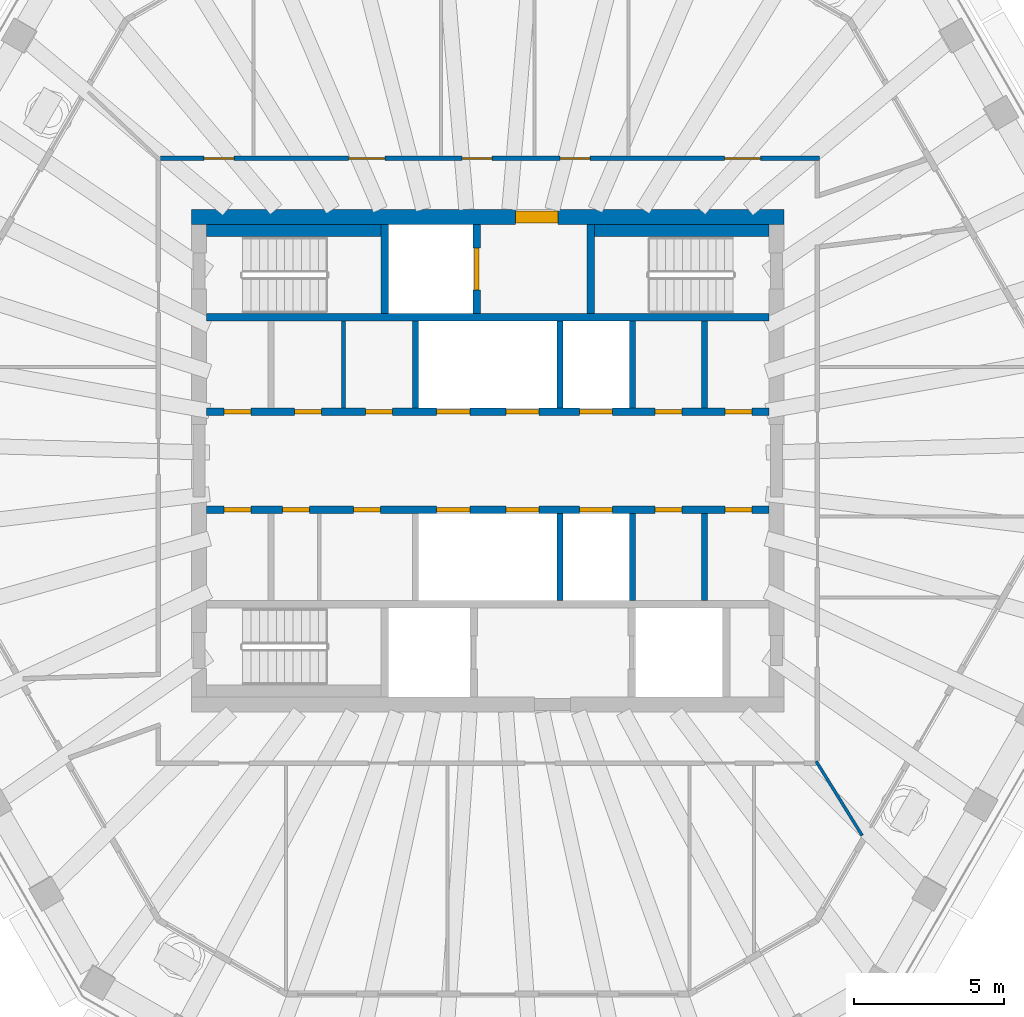
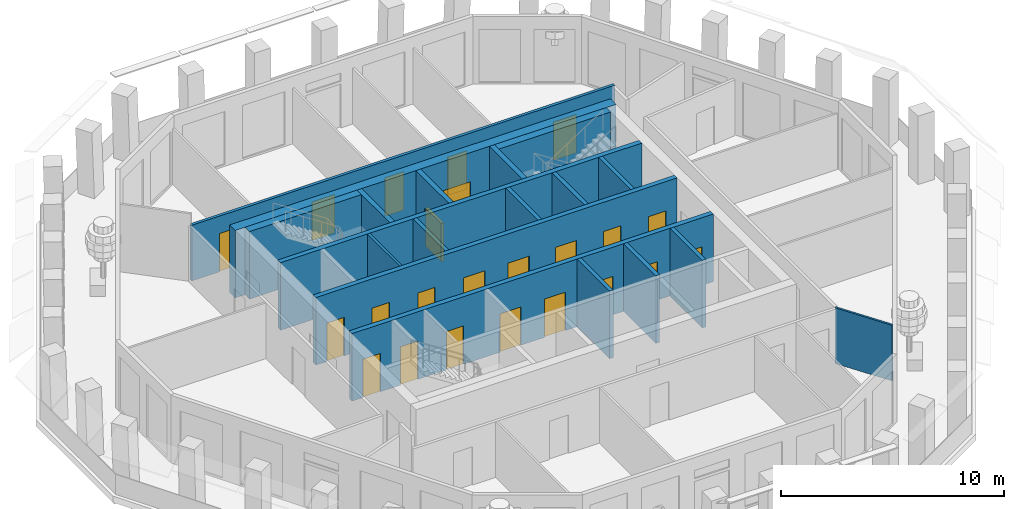
# One storey, part 5 of 11: 23 doors, 19 walls, 23 openings.
"""IFC4 building model written with IfcOpenShell, lengths in metres."""

from ifc_helpers import new_model, si_unit, direction, frame, frame_2d, origin, place, context, subcontext, project, spatial, rectangle, extrude, material, layer, layer_set, type_object, element, fill, save


model = new_model("IFC4")

# Units and contexts
model_context = context("Model", 3, precision=1e-05, world=origin(), true_north=direction((0.0, 1.0)))
body_context = subcontext(model_context, "Body", "Model", "MODEL_VIEW")
ifc_project = project(units=[si_unit("LENGTHUNIT", "METRE"), si_unit("AREAUNIT", "SQUARE_METRE"), si_unit("VOLUMEUNIT", "CUBIC_METRE"), si_unit("PLANEANGLEUNIT", "RADIAN"), si_unit("MASSUNIT", "GRAM", prefix="KILO")], contexts=[model_context])

# Site, building, storey
site_placement = place(None, origin())
site = spatial("IfcSite", under=ifc_project, at=site_placement, CompositionType="ELEMENT")
building_placement = place(site_placement, origin())
building = spatial("IfcBuilding", under=site, at=building_placement, Name="Frailejon Research Tower", CompositionType="ELEMENT")
storey_placement = place(building_placement, frame((0.0, 0.0, 328.60009765625)))
storey = spatial("IfcBuildingStorey", under=building, at=storey_placement, Name="L73", CompositionType="ELEMENT", Elevation=328.60009765625)

# Wall
ifc_material_1 = material(Name="Plasterboard on steel studs", Category="steel")
ifc_layer_1 = layer(ifc_material_1, 0.125)
ifc_layer_set_1 = layer_set([ifc_layer_1], Name="Core partition 125")
wall_type_1 = type_object("IfcWallType", Name="Core partition 125", PredefinedType="PARTITIONING", material=ifc_layer_set_1)
wall_1_placement = place(storey_placement, frame((-4.800048828125, 1.75, 0.0), z_axis=(0.0, 0.0, 1.0), x_axis=(0.0, 1.0, 0.0)))
element("IfcWall", 1, at=wall_1_placement, inside=storey, type_object=wall_type_1, Name="Core partition", PredefinedType="PARTITIONING", context=body_context, shape_type="SweptSolid", body=[
    extrude(rectangle(XDim=2.89990234375, YDim=0.125, at=frame_2d((1.449951171875, 0.0))), origin(), (0.0, 0.0, 1.0), 3.699951171875),
])

# Wall, opening, door
ifc_material_2 = material(Name="Concrete C50/60", Category="concrete")
ifc_layer_2 = layer(ifc_material_2, 0.5)
ifc_layer_set_2 = layer_set([ifc_layer_2], Name="Core shear wall 500 C50/60")
wall_type_2 = type_object("IfcWallType", Name="Core shear wall 500 C50/60", PredefinedType="SHEAR", material=ifc_layer_set_2)
wall_2_placement = place(storey_placement, frame((-9.85009765625, 8.10009765625, 0.0), z_axis=(0.0, 0.0, 1.0), x_axis=(1.0, 0.0, 0.0)))
wall_2 = element("IfcWall", 2, at=wall_2_placement, inside=storey, type_object=wall_type_2, Name="Core shear wall", PredefinedType="SHEAR", context=body_context, shape_type="SweptSolid", body=[
    extrude(rectangle(XDim=19.7001953125, YDim=0.5, at=frame_2d((9.85009765625, 0.0))), origin(), (0.0, 0.0, 1.0), 3.699951171875),
])
opening_1_placement = place(wall_2_placement, frame((10.77490234375, 0.0, 0.0)))
opening_1 = element("IfcOpeningElement", 3, at=opening_1_placement, cuts=wall_2, Name="Opening D9", PredefinedType="OPENING", context=body_context, shape_type="SweptSolid", body=[
    extrude(rectangle(XDim=1.39990234375, YDim=2.10009765625, at=frame_2d((0.699951171875, 1.050048828125))), frame((0.0, 0.260009765625, 0.0), z_axis=(0.0, -1.0, 0.0), x_axis=(1.0, 0.0, 0.0)), (0.0, 0.0, 1.0), 0.52001953125),
])
ifc_material_3 = material(Name="Steel", Category="steel")
door_type_1 = type_object("IfcDoorType", Name="Goods lobby door", OperationType="DOUBLE_DOOR_SINGLE_SWING", PredefinedType="DOOR", material=ifc_material_3)
door_1_placement = place(opening_1_placement, origin())
door_1 = element("IfcDoor", 4, at=door_1_placement, inside=storey, type_object=door_type_1, Name="Goods lobby door", OperationType="DOUBLE_DOOR_SINGLE_SWING", OverallHeight=2.10009765625, OverallWidth=1.39990234375, PredefinedType="DOOR", context=body_context, shape_type="SweptSolid", body=[
    extrude(rectangle(XDim=1.39990234375, YDim=2.10009765625, at=frame_2d((0.699951171875, 1.050048828125))), frame((0.0, 0.199951171875, 0.0), z_axis=(0.0, -1.0, 0.0), x_axis=(1.0, 0.0, 0.0)), (0.0, 0.0, 1.0), 0.39990234375),
])
fill(opening_1, door_1)

# Wall, openings, doors
ifc_material_4 = material(Name="Gypsum board and masonry partition", Category="masonry")
ifc_layer_3 = layer(ifc_material_4, 0.14990234375)
ifc_layer_set_3 = layer_set([ifc_layer_3], Name="Corridor wall EI 60, gypsum on steel studs 150")
wall_type_3 = type_object("IfcWallType", Name="Corridor wall EI 60, gypsum on steel studs 150", PredefinedType="PARTITIONING", material=ifc_layer_set_3)
wall_3_placement = place(storey_placement, frame((-10.875, 10.050048828125, 0.0), z_axis=(0.0, 0.0, 1.0), x_axis=(1.0, 0.0, 0.0)))
wall_3 = element("IfcWall", 5, at=wall_3_placement, inside=storey, type_object=wall_type_3, Name="T:IW:L73:005", PredefinedType="PARTITIONING", context=body_context, shape_type="SweptSolid", body=[
    extrude(rectangle(XDim=21.89990234375, YDim=0.14990234375, at=frame_2d((10.949951171875, 0.0))), origin(), (0.0, 0.0, 1.0), 3.0498046875),
])
opening_2_placement = place(wall_3_placement, frame((18.743408203125, 0.0, 0.0)))
opening_2 = element("IfcOpeningElement", 6, at=opening_2_placement, cuts=wall_3, Name="Opening D2366", PredefinedType="OPENING", context=body_context, shape_type="SweptSolid", body=[
    extrude(rectangle(XDim=1.199951171875, YDim=2.10009765625, at=frame_2d((0.60009765625, 1.050048828125))), frame((0.0, 0.0849609375, 0.0), z_axis=(0.0, -1.0, 0.0), x_axis=(1.0, 0.0, 0.0)), (0.0, 0.0, 1.0), 0.169921875),
])
opening_3_placement = place(wall_3_placement, frame((13.2783203125, 0.0, 0.0)))
opening_3 = element("IfcOpeningElement", 7, at=opening_3_placement, cuts=wall_3, Name="Opening D2367", PredefinedType="OPENING", context=body_context, shape_type="SweptSolid", body=[
    extrude(rectangle(XDim=1.0, YDim=2.10009765625, at=frame_2d((0.5, 1.050048828125))), frame((0.0, 0.0849609375, 0.0), z_axis=(0.0, -1.0, 0.0), x_axis=(1.0, 0.0, 0.0)), (0.0, 0.0, 1.0), 0.169921875),
])
opening_4_placement = place(wall_3_placement, frame((10.02099609375, 0.0, 0.0)))
opening_4 = element("IfcOpeningElement", 8, at=opening_4_placement, cuts=wall_3, Name="Opening D2368", PredefinedType="OPENING", context=body_context, shape_type="SweptSolid", body=[
    extrude(rectangle(XDim=1.0, YDim=2.10009765625, at=frame_2d((0.5, 1.050048828125))), frame((0.0, 0.0849609375, 0.0), z_axis=(0.0, -1.0, 0.0), x_axis=(1.0, 0.0, 0.0)), (0.0, 0.0, 1.0), 0.169921875),
])
opening_5_placement = place(wall_3_placement, frame((6.2509765625, 0.0, 0.0)))
opening_5 = element("IfcOpeningElement", 9, at=opening_5_placement, cuts=wall_3, Name="Opening D2369", PredefinedType="OPENING", context=body_context, shape_type="SweptSolid", body=[
    extrude(rectangle(XDim=1.199951171875, YDim=2.10009765625, at=frame_2d((0.60009765625, 1.050048828125))), frame((0.0, 0.0849609375, 0.0), z_axis=(0.0, -1.0, 0.0), x_axis=(1.0, 0.0, 0.0)), (0.0, 0.0, 1.0), 0.169921875),
])
opening_6_placement = place(wall_3_placement, frame((1.443115234375, 0.0, 0.0)))
opening_6 = element("IfcOpeningElement", 10, at=opening_6_placement, cuts=wall_3, Name="Opening D2370", PredefinedType="OPENING", context=body_context, shape_type="SweptSolid", body=[
    extrude(rectangle(XDim=1.0, YDim=2.10009765625, at=frame_2d((0.5, 1.050048828125))), frame((0.0, 0.0849609375, 0.0), z_axis=(0.0, -1.0, 0.0), x_axis=(1.0, 0.0, 0.0)), (0.0, 0.0, 1.0), 0.169921875),
])
ifc_material_5 = material(Name="Timber door leaf", Category="wood")
door_type_2 = type_object("IfcDoorType", Name="Door single leaf, timber, steel frame 1000", OperationType="NOTDEFINED", PredefinedType="DOOR", material=ifc_material_5)
door_2_placement = place(opening_3_placement, origin())
door_2 = element("IfcDoor", 11, at=door_2_placement, inside=storey, type_object=door_type_2, Name="D2367", OperationType="SINGLE_SWING_RIGHT", OverallHeight=2.10009765625, OverallWidth=1.0, PredefinedType="DOOR", context=body_context, shape_type="SweptSolid", body=[
    extrude(rectangle(XDim=1.0, YDim=2.10009765625, at=frame_2d((0.5, 1.050048828125))), frame((0.0, 0.02490234375, 0.0), z_axis=(0.0, -1.0, 0.0), x_axis=(1.0, 0.0, 0.0)), (0.0, 0.0, 1.0), 0.050048828125),
])
fill(opening_3, door_2)
door_3_placement = place(opening_4_placement, origin())
door_3 = element("IfcDoor", 12, at=door_3_placement, inside=storey, type_object=door_type_2, Name="D2368", OperationType="SINGLE_SWING_LEFT", OverallHeight=2.10009765625, OverallWidth=1.0, PredefinedType="DOOR", context=body_context, shape_type="SweptSolid", body=[
    extrude(rectangle(XDim=1.0, YDim=2.10009765625, at=frame_2d((0.5, 1.050048828125))), frame((0.0, 0.02490234375, 0.0), z_axis=(0.0, -1.0, 0.0), x_axis=(1.0, 0.0, 0.0)), (0.0, 0.0, 1.0), 0.050048828125),
])
fill(opening_4, door_3)
door_4_placement = place(opening_6_placement, origin())
door_4 = element("IfcDoor", 13, at=door_4_placement, inside=storey, type_object=door_type_2, Name="D2370", OperationType="SINGLE_SWING_RIGHT", OverallHeight=2.10009765625, OverallWidth=1.0, PredefinedType="DOOR", context=body_context, shape_type="SweptSolid", body=[
    extrude(rectangle(XDim=1.0, YDim=2.10009765625, at=frame_2d((0.5, 1.050048828125))), frame((0.0, 0.02490234375, 0.0), z_axis=(0.0, -1.0, 0.0), x_axis=(1.0, 0.0, 0.0)), (0.0, 0.0, 1.0), 0.050048828125),
])
fill(opening_6, door_4)
ifc_material_6 = material(Name="Timber door leaf", Category="wood")
door_type_3 = type_object("IfcDoorType", Name="Door single leaf, timber, steel frame 1200", OperationType="NOTDEFINED", PredefinedType="DOOR", material=ifc_material_6)
door_5_placement = place(opening_2_placement, origin())
door_5 = element("IfcDoor", 14, at=door_5_placement, inside=storey, type_object=door_type_3, Name="D2366", OperationType="DOUBLE_DOOR_SINGLE_SWING", OverallHeight=2.10009765625, OverallWidth=1.199951171875, PredefinedType="DOOR", context=body_context, shape_type="SweptSolid", body=[
    extrude(rectangle(XDim=1.199951171875, YDim=2.10009765625, at=frame_2d((0.60009765625, 1.050048828125))), frame((0.0, 0.02490234375, 0.0), z_axis=(0.0, -1.0, 0.0), x_axis=(1.0, 0.0, 0.0)), (0.0, 0.0, 1.0), 0.050048828125),
])
fill(opening_2, door_5)
door_6_placement = place(opening_5_placement, origin())
door_6 = element("IfcDoor", 15, at=door_6_placement, inside=storey, type_object=door_type_3, Name="D2369", OperationType="DOUBLE_DOOR_SINGLE_SWING", OverallHeight=2.10009765625, OverallWidth=1.199951171875, PredefinedType="DOOR", context=body_context, shape_type="SweptSolid", body=[
    extrude(rectangle(XDim=1.199951171875, YDim=2.10009765625, at=frame_2d((0.60009765625, 1.050048828125))), frame((0.0, 0.02490234375, 0.0), z_axis=(0.0, -1.0, 0.0), x_axis=(1.0, 0.0, 0.0)), (0.0, 0.0, 1.0), 0.050048828125),
])
fill(opening_5, door_6)

# Walls
ifc_material_7 = material(Name="Gypsum board and masonry partition", Category="masonry")
ifc_layer_4 = layer(ifc_material_7, 0.10009765625)
ifc_layer_set_4 = layer_set([ifc_layer_4], Name="Partition, gypsum on steel studs 100")
wall_type_4 = type_object("IfcWallType", Name="Partition, gypsum on steel studs 100", PredefinedType="PARTITIONING", material=ifc_layer_set_4)
wall_4_placement = place(storey_placement, frame((10.910400390625, -9.986083984375, 0.0), z_axis=(0.0, 0.0, 1.0), x_axis=(0.526525388212, -0.850159405975, 0.0)))
element("IfcWall", 16, at=wall_4_placement, inside=storey, type_object=wall_type_4, Name="T:IW:L73:023", PredefinedType="PARTITIONING", context=body_context, shape_type="SweptSolid", body=[
    extrude(rectangle(XDim=2.903564453125, YDim=0.10009765625, at=frame_2d((1.45166015625, 0.0))), origin(), (0.0, 0.0, 1.0), 3.0498046875),
])
ifc_material_8 = material(Name="Concrete C50/60", Category="concrete")
ifc_layer_5 = layer(ifc_material_8, 0.199951171875)
ifc_layer_set_5 = layer_set([ifc_layer_5], Name="Shaft wall 200 C50/60")
wall_type_5 = type_object("IfcWallType", Name="Shaft wall 200 C50/60", PredefinedType="SOLIDWALL", material=ifc_layer_set_5)
for number, where, z_axis, x_axis, name in (
    (17, (-2.39990234375, 1.75, 0.0), (0.0, 0.0, 1.0), (0.0, 1.0, 0.0), "Shaft wall"),
    (18, (2.39990234375, 1.75, 0.0), (0.0, 0.0, 1.0), (0.0, 1.0, 0.0), "Shaft wall"),
    (19, (4.800048828125, 1.75, 0.0), (0.0, 0.0, 1.0), (0.0, 1.0, 0.0), "Shaft wall"),
    (20, (7.199951171875, 1.75, 0.0), (0.0, 0.0, 1.0), (0.0, 1.0, 0.0), "Shaft wall"),
    (21, (2.39990234375, -4.64990234375, 0.0), (0.0, 0.0, 1.0), (0.0, 1.0, 0.0), "Shaft wall"),
    (22, (4.800048828125, -4.64990234375, 0.0), (0.0, 0.0, 1.0), (0.0, 1.0, 0.0), "Shaft wall"),
    (23, (7.199951171875, -4.64990234375, 0.0), (0.0, 0.0, 1.0), (0.0, 1.0, 0.0), "Shaft wall"),
):
    element("IfcWall", number, at=place(storey_placement, frame(where, z_axis=z_axis, x_axis=x_axis)), inside=storey, type_object=wall_type_5, Name=name, PredefinedType="SOLIDWALL", context=body_context, shape_type="SweptSolid", body=[
        extrude(rectangle(XDim=2.89990234375, YDim=0.199951171875, at=frame_2d((1.449951171875, 0.0))), origin(), (0.0, 0.0, 1.0), 3.699951171875),
    ])

# Wall, openings, doors
ifc_material_9 = material(Name="Concrete C50/60", Category="concrete")
ifc_layer_6 = layer(ifc_material_9, 0.25)
ifc_layer_set_6 = layer_set([ifc_layer_6], Name="Shaft wall 250 C50/60")
wall_type_6 = type_object("IfcWallType", Name="Shaft wall 250 C50/60", PredefinedType="SOLIDWALL", material=ifc_layer_set_6)
wall_5_placement = place(storey_placement, frame((-9.35009765625, 1.625, 0.0), z_axis=(0.0, 0.0, 1.0), x_axis=(1.0, 0.0, 0.0)))
wall_5 = element("IfcWall", 24, at=wall_5_placement, inside=storey, type_object=wall_type_6, Name="Shaft wall", PredefinedType="SOLIDWALL", context=body_context, shape_type="SweptSolid", body=[
    extrude(rectangle(XDim=18.7001953125, YDim=0.25, at=frame_2d((9.35009765625, 0.0))), origin(), (0.0, 0.0, 1.0), 3.699951171875),
])
opening_7_placement = place(wall_5_placement, frame((7.64990234375, 0.0, 0.0)))
opening_7 = element("IfcOpeningElement", 25, at=opening_7_placement, cuts=wall_5, Name="Opening LD", PredefinedType="OPENING", context=body_context, shape_type="SweptSolid", body=[
    extrude(rectangle(XDim=1.10009765625, YDim=2.10009765625, at=frame_2d((0.550048828125, 1.050048828125))), frame((0.0, 0.135009765625, 0.0), z_axis=(0.0, -1.0, 0.0), x_axis=(1.0, 0.0, 0.0)), (0.0, 0.0, 1.0), 0.27001953125),
])
opening_8_placement = place(wall_5_placement, frame((9.949951171875, 0.0, 0.0)))
opening_8 = element("IfcOpeningElement", 26, at=opening_8_placement, cuts=wall_5, Name="Opening LD", PredefinedType="OPENING", context=body_context, shape_type="SweptSolid", body=[
    extrude(rectangle(XDim=1.10009765625, YDim=2.10009765625, at=frame_2d((0.550048828125, 1.050048828125))), frame((0.0, 0.135009765625, 0.0), z_axis=(0.0, -1.0, 0.0), x_axis=(1.0, 0.0, 0.0)), (0.0, 0.0, 1.0), 0.27001953125),
])
opening_9_placement = place(wall_5_placement, frame((12.39990234375, 0.0, 0.0)))
opening_9 = element("IfcOpeningElement", 27, at=opening_9_placement, cuts=wall_5, Name="Opening LD", PredefinedType="OPENING", context=body_context, shape_type="SweptSolid", body=[
    extrude(rectangle(XDim=1.10009765625, YDim=2.10009765625, at=frame_2d((0.550048828125, 1.050048828125))), frame((0.0, 0.135009765625, 0.0), z_axis=(0.0, -1.0, 0.0), x_axis=(1.0, 0.0, 0.0)), (0.0, 0.0, 1.0), 0.27001953125),
])
opening_10_placement = place(wall_5_placement, frame((0.574951171875, 0.0, 0.0)))
opening_10 = element("IfcOpeningElement", 28, at=opening_10_placement, cuts=wall_5, Name="Opening D8", PredefinedType="OPENING", context=body_context, shape_type="SweptSolid", body=[
    extrude(rectangle(XDim=0.89990234375, YDim=2.10009765625, at=frame_2d((0.449951171875, 1.050048828125))), frame((0.0, 0.135009765625, 0.0), z_axis=(0.0, -1.0, 0.0), x_axis=(1.0, 0.0, 0.0)), (0.0, 0.0, 1.0), 0.27001953125),
])
opening_11_placement = place(wall_5_placement, frame((2.918701171875, 0.0, 0.0)))
opening_11 = element("IfcOpeningElement", 29, at=opening_11_placement, cuts=wall_5, Name="Opening D8", PredefinedType="OPENING", context=body_context, shape_type="SweptSolid", body=[
    extrude(rectangle(XDim=0.89990234375, YDim=2.10009765625, at=frame_2d((0.449951171875, 1.050048828125))), frame((0.0, 0.135009765625, 0.0), z_axis=(0.0, -1.0, 0.0), x_axis=(1.0, 0.0, 0.0)), (0.0, 0.0, 1.0), 0.27001953125),
])
opening_12_placement = place(wall_5_placement, frame((5.28125, 0.0, 0.0)))
opening_12 = element("IfcOpeningElement", 30, at=opening_12_placement, cuts=wall_5, Name="Opening D8", PredefinedType="OPENING", context=body_context, shape_type="SweptSolid", body=[
    extrude(rectangle(XDim=0.89990234375, YDim=2.10009765625, at=frame_2d((0.449951171875, 1.050048828125))), frame((0.0, 0.135009765625, 0.0), z_axis=(0.0, -1.0, 0.0), x_axis=(1.0, 0.0, 0.0)), (0.0, 0.0, 1.0), 0.27001953125),
])
opening_13_placement = place(wall_5_placement, frame((14.89990234375, 0.0, 0.0)))
opening_13 = element("IfcOpeningElement", 31, at=opening_13_placement, cuts=wall_5, Name="Opening D8", PredefinedType="OPENING", context=body_context, shape_type="SweptSolid", body=[
    extrude(rectangle(XDim=0.89990234375, YDim=2.10009765625, at=frame_2d((0.449951171875, 1.050048828125))), frame((0.0, 0.135009765625, 0.0), z_axis=(0.0, -1.0, 0.0), x_axis=(1.0, 0.0, 0.0)), (0.0, 0.0, 1.0), 0.27001953125),
])
opening_14_placement = place(wall_5_placement, frame((17.22509765625, 0.0, 0.0)))
opening_14 = element("IfcOpeningElement", 32, at=opening_14_placement, cuts=wall_5, Name="Opening D8", PredefinedType="OPENING", context=body_context, shape_type="SweptSolid", body=[
    extrude(rectangle(XDim=0.89990234375, YDim=2.10009765625, at=frame_2d((0.449951171875, 1.050048828125))), frame((0.0, 0.135009765625, 0.0), z_axis=(0.0, -1.0, 0.0), x_axis=(1.0, 0.0, 0.0)), (0.0, 0.0, 1.0), 0.27001953125),
])
ifc_material_10 = material(Name="Steel", Category="steel")
door_type_4 = type_object("IfcDoorType", Name="Core room door", OperationType="SINGLE_SWING_LEFT", PredefinedType="DOOR", material=ifc_material_10)
door_7_placement = place(opening_10_placement, origin())
door_7 = element("IfcDoor", 33, at=door_7_placement, inside=storey, type_object=door_type_4, Name="Room door", OperationType="SINGLE_SWING_RIGHT", OverallHeight=2.10009765625, OverallWidth=0.89990234375, PredefinedType="DOOR", context=body_context, shape_type="SweptSolid", body=[
    extrude(rectangle(XDim=0.89990234375, YDim=2.10009765625, at=frame_2d((0.449951171875, 1.050048828125))), frame((0.0, 0.074951171875, 0.0), z_axis=(0.0, -1.0, 0.0), x_axis=(1.0, 0.0, 0.0)), (0.0, 0.0, 1.0), 0.14990234375),
])
fill(opening_10, door_7)
door_8_placement = place(opening_11_placement, origin())
door_8 = element("IfcDoor", 34, at=door_8_placement, inside=storey, type_object=door_type_4, Name="Room door", OperationType="SINGLE_SWING_LEFT", OverallHeight=2.10009765625, OverallWidth=0.89990234375, PredefinedType="DOOR", context=body_context, shape_type="SweptSolid", body=[
    extrude(rectangle(XDim=0.89990234375, YDim=2.10009765625, at=frame_2d((0.449951171875, 1.050048828125))), frame((0.0, 0.074951171875, 0.0), z_axis=(0.0, -1.0, 0.0), x_axis=(1.0, 0.0, 0.0)), (0.0, 0.0, 1.0), 0.14990234375),
])
fill(opening_11, door_8)
door_9_placement = place(opening_12_placement, origin())
door_9 = element("IfcDoor", 35, at=door_9_placement, inside=storey, type_object=door_type_4, Name="Room door", OperationType="SINGLE_SWING_RIGHT", OverallHeight=2.10009765625, OverallWidth=0.89990234375, PredefinedType="DOOR", context=body_context, shape_type="SweptSolid", body=[
    extrude(rectangle(XDim=0.89990234375, YDim=2.10009765625, at=frame_2d((0.449951171875, 1.050048828125))), frame((0.0, 0.074951171875, 0.0), z_axis=(0.0, -1.0, 0.0), x_axis=(1.0, 0.0, 0.0)), (0.0, 0.0, 1.0), 0.14990234375),
])
fill(opening_12, door_9)
door_10_placement = place(opening_13_placement, origin())
door_10 = element("IfcDoor", 36, at=door_10_placement, inside=storey, type_object=door_type_4, Name="Room door", OperationType="SINGLE_SWING_LEFT", OverallHeight=2.10009765625, OverallWidth=0.89990234375, PredefinedType="DOOR", context=body_context, shape_type="SweptSolid", body=[
    extrude(rectangle(XDim=0.89990234375, YDim=2.10009765625, at=frame_2d((0.449951171875, 1.050048828125))), frame((0.0, 0.074951171875, 0.0), z_axis=(0.0, -1.0, 0.0), x_axis=(1.0, 0.0, 0.0)), (0.0, 0.0, 1.0), 0.14990234375),
])
fill(opening_13, door_10)
door_11_placement = place(opening_14_placement, origin())
door_11 = element("IfcDoor", 37, at=door_11_placement, inside=storey, type_object=door_type_4, Name="Room door", OperationType="SINGLE_SWING_RIGHT", OverallHeight=2.10009765625, OverallWidth=0.89990234375, PredefinedType="DOOR", context=body_context, shape_type="SweptSolid", body=[
    extrude(rectangle(XDim=0.89990234375, YDim=2.10009765625, at=frame_2d((0.449951171875, 1.050048828125))), frame((0.0, 0.074951171875, 0.0), z_axis=(0.0, -1.0, 0.0), x_axis=(1.0, 0.0, 0.0)), (0.0, 0.0, 1.0), 0.14990234375),
])
fill(opening_14, door_11)
ifc_material_11 = material(Name="Steel", Category="steel")
door_type_5 = type_object("IfcDoorType", Name="Lift landing door", OperationType="DOUBLE_DOOR_SLIDING", PredefinedType="DOOR", material=ifc_material_11)
door_12_placement = place(opening_7_placement, origin())
door_12 = element("IfcDoor", 38, at=door_12_placement, inside=storey, type_object=door_type_5, Name="Lift landing door", OperationType="DOUBLE_DOOR_SLIDING", OverallHeight=2.10009765625, OverallWidth=1.10009765625, PredefinedType="DOOR", context=body_context, shape_type="SweptSolid", body=[
    extrude(rectangle(XDim=1.10009765625, YDim=2.10009765625, at=frame_2d((0.550048828125, 1.050048828125))), frame((0.0, 0.074951171875, 0.0), z_axis=(0.0, -1.0, 0.0), x_axis=(1.0, 0.0, 0.0)), (0.0, 0.0, 1.0), 0.14990234375),
])
fill(opening_7, door_12)
door_13_placement = place(opening_8_placement, origin())
door_13 = element("IfcDoor", 39, at=door_13_placement, inside=storey, type_object=door_type_5, Name="Lift landing door", OperationType="DOUBLE_DOOR_SLIDING", OverallHeight=2.10009765625, OverallWidth=1.10009765625, PredefinedType="DOOR", context=body_context, shape_type="SweptSolid", body=[
    extrude(rectangle(XDim=1.10009765625, YDim=2.10009765625, at=frame_2d((0.550048828125, 1.050048828125))), frame((0.0, 0.074951171875, 0.0), z_axis=(0.0, -1.0, 0.0), x_axis=(1.0, 0.0, 0.0)), (0.0, 0.0, 1.0), 0.14990234375),
])
fill(opening_8, door_13)
door_14_placement = place(opening_9_placement, origin())
door_14 = element("IfcDoor", 40, at=door_14_placement, inside=storey, type_object=door_type_5, Name="Lift landing door", OperationType="DOUBLE_DOOR_SLIDING", OverallHeight=2.10009765625, OverallWidth=1.10009765625, PredefinedType="DOOR", context=body_context, shape_type="SweptSolid", body=[
    extrude(rectangle(XDim=1.10009765625, YDim=2.10009765625, at=frame_2d((0.550048828125, 1.050048828125))), frame((0.0, 0.074951171875, 0.0), z_axis=(0.0, -1.0, 0.0), x_axis=(1.0, 0.0, 0.0)), (0.0, 0.0, 1.0), 0.14990234375),
])
fill(opening_9, door_14)

# Wall
wall_6_placement = place(storey_placement, frame((-9.35009765625, 4.77490234375, 0.0), z_axis=(0.0, 0.0, 1.0), x_axis=(1.0, 0.0, 0.0)))
element("IfcWall", 41, at=wall_6_placement, inside=storey, type_object=wall_type_6, Name="Shaft wall", PredefinedType="SOLIDWALL", context=body_context, shape_type="SweptSolid", body=[
    extrude(rectangle(XDim=18.7001953125, YDim=0.25, at=frame_2d((9.35009765625, 0.0))), origin(), (0.0, 0.0, 1.0), 3.699951171875),
])

# Wall, openings, doors
wall_7_placement = place(storey_placement, frame((-9.35009765625, -1.625, 0.0), z_axis=(0.0, 0.0, 1.0), x_axis=(1.0, 0.0, 0.0)))
wall_7 = element("IfcWall", 42, at=wall_7_placement, inside=storey, type_object=wall_type_6, Name="Shaft wall", PredefinedType="SOLIDWALL", context=body_context, shape_type="SweptSolid", body=[
    extrude(rectangle(XDim=18.7001953125, YDim=0.25, at=frame_2d((9.35009765625, 0.0))), origin(), (0.0, 0.0, 1.0), 3.699951171875),
])
opening_15_placement = place(wall_7_placement, frame((7.64990234375, 0.0, 0.0)))
opening_15 = element("IfcOpeningElement", 43, at=opening_15_placement, cuts=wall_7, Name="Opening LD", PredefinedType="OPENING", context=body_context, shape_type="SweptSolid", body=[
    extrude(rectangle(XDim=1.10009765625, YDim=2.10009765625, at=frame_2d((0.550048828125, 1.050048828125))), frame((0.0, 0.135009765625, 0.0), z_axis=(0.0, -1.0, 0.0), x_axis=(1.0, 0.0, 0.0)), (0.0, 0.0, 1.0), 0.27001953125),
])
opening_16_placement = place(wall_7_placement, frame((9.949951171875, 0.0, 0.0)))
opening_16 = element("IfcOpeningElement", 44, at=opening_16_placement, cuts=wall_7, Name="Opening LD", PredefinedType="OPENING", context=body_context, shape_type="SweptSolid", body=[
    extrude(rectangle(XDim=1.10009765625, YDim=2.10009765625, at=frame_2d((0.550048828125, 1.050048828125))), frame((0.0, 0.135009765625, 0.0), z_axis=(0.0, -1.0, 0.0), x_axis=(1.0, 0.0, 0.0)), (0.0, 0.0, 1.0), 0.27001953125),
])
opening_17_placement = place(wall_7_placement, frame((12.39990234375, 0.0, 0.0)))
opening_17 = element("IfcOpeningElement", 45, at=opening_17_placement, cuts=wall_7, Name="Opening LD", PredefinedType="OPENING", context=body_context, shape_type="SweptSolid", body=[
    extrude(rectangle(XDim=1.10009765625, YDim=2.10009765625, at=frame_2d((0.550048828125, 1.050048828125))), frame((0.0, 0.135009765625, 0.0), z_axis=(0.0, -1.0, 0.0), x_axis=(1.0, 0.0, 0.0)), (0.0, 0.0, 1.0), 0.27001953125),
])
opening_18_placement = place(wall_7_placement, frame((0.574951171875, 0.0, 0.0)))
opening_18 = element("IfcOpeningElement", 46, at=opening_18_placement, cuts=wall_7, Name="Opening D8", PredefinedType="OPENING", context=body_context, shape_type="SweptSolid", body=[
    extrude(rectangle(XDim=0.89990234375, YDim=2.10009765625, at=frame_2d((0.449951171875, 1.050048828125))), frame((0.0, 0.135009765625, 0.0), z_axis=(0.0, -1.0, 0.0), x_axis=(1.0, 0.0, 0.0)), (0.0, 0.0, 1.0), 0.27001953125),
])
opening_19_placement = place(wall_7_placement, frame((2.518798828125, 0.0, 0.0)))
opening_19 = element("IfcOpeningElement", 47, at=opening_19_placement, cuts=wall_7, Name="Opening D8", PredefinedType="OPENING", context=body_context, shape_type="SweptSolid", body=[
    extrude(rectangle(XDim=0.89990234375, YDim=2.10009765625, at=frame_2d((0.449951171875, 1.050048828125))), frame((0.0, 0.135009765625, 0.0), z_axis=(0.0, -1.0, 0.0), x_axis=(1.0, 0.0, 0.0)), (0.0, 0.0, 1.0), 0.27001953125),
])
opening_20_placement = place(wall_7_placement, frame((4.881103515625, 0.0, 0.0)))
opening_20 = element("IfcOpeningElement", 48, at=opening_20_placement, cuts=wall_7, Name="Opening D8", PredefinedType="OPENING", context=body_context, shape_type="SweptSolid", body=[
    extrude(rectangle(XDim=0.89990234375, YDim=2.10009765625, at=frame_2d((0.449951171875, 1.050048828125))), frame((0.0, 0.135009765625, 0.0), z_axis=(0.0, -1.0, 0.0), x_axis=(1.0, 0.0, 0.0)), (0.0, 0.0, 1.0), 0.27001953125),
])
opening_21_placement = place(wall_7_placement, frame((14.89990234375, 0.0, 0.0)))
opening_21 = element("IfcOpeningElement", 49, at=opening_21_placement, cuts=wall_7, Name="Opening D8", PredefinedType="OPENING", context=body_context, shape_type="SweptSolid", body=[
    extrude(rectangle(XDim=0.89990234375, YDim=2.10009765625, at=frame_2d((0.449951171875, 1.050048828125))), frame((0.0, 0.135009765625, 0.0), z_axis=(0.0, -1.0, 0.0), x_axis=(1.0, 0.0, 0.0)), (0.0, 0.0, 1.0), 0.27001953125),
])
opening_22_placement = place(wall_7_placement, frame((17.22509765625, 0.0, 0.0)))
opening_22 = element("IfcOpeningElement", 50, at=opening_22_placement, cuts=wall_7, Name="Opening D8", PredefinedType="OPENING", context=body_context, shape_type="SweptSolid", body=[
    extrude(rectangle(XDim=0.89990234375, YDim=2.10009765625, at=frame_2d((0.449951171875, 1.050048828125))), frame((0.0, 0.135009765625, 0.0), z_axis=(0.0, -1.0, 0.0), x_axis=(1.0, 0.0, 0.0)), (0.0, 0.0, 1.0), 0.27001953125),
])
door_15_placement = place(opening_18_placement, origin())
door_15 = element("IfcDoor", 51, at=door_15_placement, inside=storey, type_object=door_type_4, Name="Room door", OperationType="SINGLE_SWING_LEFT", OverallHeight=2.10009765625, OverallWidth=0.89990234375, PredefinedType="DOOR", context=body_context, shape_type="SweptSolid", body=[
    extrude(rectangle(XDim=0.89990234375, YDim=2.10009765625, at=frame_2d((0.449951171875, 1.050048828125))), frame((0.0, 0.074951171875, 0.0), z_axis=(0.0, -1.0, 0.0), x_axis=(1.0, 0.0, 0.0)), (0.0, 0.0, 1.0), 0.14990234375),
])
fill(opening_18, door_15)
door_16_placement = place(opening_19_placement, origin())
door_16 = element("IfcDoor", 52, at=door_16_placement, inside=storey, type_object=door_type_4, Name="Room door", OperationType="SINGLE_SWING_RIGHT", OverallHeight=2.10009765625, OverallWidth=0.89990234375, PredefinedType="DOOR", context=body_context, shape_type="SweptSolid", body=[
    extrude(rectangle(XDim=0.89990234375, YDim=2.10009765625, at=frame_2d((0.449951171875, 1.050048828125))), frame((0.0, 0.074951171875, 0.0), z_axis=(0.0, -1.0, 0.0), x_axis=(1.0, 0.0, 0.0)), (0.0, 0.0, 1.0), 0.14990234375),
])
fill(opening_19, door_16)
door_17_placement = place(opening_20_placement, origin())
door_17 = element("IfcDoor", 53, at=door_17_placement, inside=storey, type_object=door_type_4, Name="Room door", OperationType="SINGLE_SWING_LEFT", OverallHeight=2.10009765625, OverallWidth=0.89990234375, PredefinedType="DOOR", context=body_context, shape_type="SweptSolid", body=[
    extrude(rectangle(XDim=0.89990234375, YDim=2.10009765625, at=frame_2d((0.449951171875, 1.050048828125))), frame((0.0, 0.074951171875, 0.0), z_axis=(0.0, -1.0, 0.0), x_axis=(1.0, 0.0, 0.0)), (0.0, 0.0, 1.0), 0.14990234375),
])
fill(opening_20, door_17)
door_18_placement = place(opening_21_placement, origin())
door_18 = element("IfcDoor", 54, at=door_18_placement, inside=storey, type_object=door_type_4, Name="Room door", OperationType="SINGLE_SWING_RIGHT", OverallHeight=2.10009765625, OverallWidth=0.89990234375, PredefinedType="DOOR", context=body_context, shape_type="SweptSolid", body=[
    extrude(rectangle(XDim=0.89990234375, YDim=2.10009765625, at=frame_2d((0.449951171875, 1.050048828125))), frame((0.0, 0.074951171875, 0.0), z_axis=(0.0, -1.0, 0.0), x_axis=(1.0, 0.0, 0.0)), (0.0, 0.0, 1.0), 0.14990234375),
])
fill(opening_21, door_18)
door_19_placement = place(opening_22_placement, origin())
door_19 = element("IfcDoor", 55, at=door_19_placement, inside=storey, type_object=door_type_4, Name="Room door", OperationType="SINGLE_SWING_LEFT", OverallHeight=2.10009765625, OverallWidth=0.89990234375, PredefinedType="DOOR", context=body_context, shape_type="SweptSolid", body=[
    extrude(rectangle(XDim=0.89990234375, YDim=2.10009765625, at=frame_2d((0.449951171875, 1.050048828125))), frame((0.0, 0.074951171875, 0.0), z_axis=(0.0, -1.0, 0.0), x_axis=(1.0, 0.0, 0.0)), (0.0, 0.0, 1.0), 0.14990234375),
])
fill(opening_22, door_19)
door_20_placement = place(opening_15_placement, origin())
door_20 = element("IfcDoor", 56, at=door_20_placement, inside=storey, type_object=door_type_5, Name="Lift landing door", OperationType="DOUBLE_DOOR_SLIDING", OverallHeight=2.10009765625, OverallWidth=1.10009765625, PredefinedType="DOOR", context=body_context, shape_type="SweptSolid", body=[
    extrude(rectangle(XDim=1.10009765625, YDim=2.10009765625, at=frame_2d((0.550048828125, 1.050048828125))), frame((0.0, 0.074951171875, 0.0), z_axis=(0.0, -1.0, 0.0), x_axis=(1.0, 0.0, 0.0)), (0.0, 0.0, 1.0), 0.14990234375),
])
fill(opening_15, door_20)
door_21_placement = place(opening_16_placement, origin())
door_21 = element("IfcDoor", 57, at=door_21_placement, inside=storey, type_object=door_type_5, Name="Lift landing door", OperationType="DOUBLE_DOOR_SLIDING", OverallHeight=2.10009765625, OverallWidth=1.10009765625, PredefinedType="DOOR", context=body_context, shape_type="SweptSolid", body=[
    extrude(rectangle(XDim=1.10009765625, YDim=2.10009765625, at=frame_2d((0.550048828125, 1.050048828125))), frame((0.0, 0.074951171875, 0.0), z_axis=(0.0, -1.0, 0.0), x_axis=(1.0, 0.0, 0.0)), (0.0, 0.0, 1.0), 0.14990234375),
])
fill(opening_16, door_21)
door_22_placement = place(opening_17_placement, origin())
door_22 = element("IfcDoor", 58, at=door_22_placement, inside=storey, type_object=door_type_5, Name="Lift landing door", OperationType="DOUBLE_DOOR_SLIDING", OverallHeight=2.10009765625, OverallWidth=1.10009765625, PredefinedType="DOOR", context=body_context, shape_type="SweptSolid", body=[
    extrude(rectangle(XDim=1.10009765625, YDim=2.10009765625, at=frame_2d((0.550048828125, 1.050048828125))), frame((0.0, 0.074951171875, 0.0), z_axis=(0.0, -1.0, 0.0), x_axis=(1.0, 0.0, 0.0)), (0.0, 0.0, 1.0), 0.14990234375),
])
fill(opening_17, door_22)

# Wall
wall_8_placement = place(storey_placement, frame((-3.425048828125, 4.89990234375, 0.0), z_axis=(0.0, 0.0, 1.0), x_axis=(0.0, 1.0, 0.0)))
element("IfcWall", 59, at=wall_8_placement, inside=storey, type_object=wall_type_6, Name="Shaft wall", PredefinedType="SOLIDWALL", context=body_context, shape_type="SweptSolid", body=[
    extrude(rectangle(XDim=2.9501953125, YDim=0.25, at=frame_2d((1.47509765625, 0.0))), origin(), (0.0, 0.0, 1.0), 3.699951171875),
])

# Wall, opening, door
wall_9_placement = place(storey_placement, frame((-0.375, 4.89990234375, 0.0), z_axis=(0.0, 0.0, 1.0), x_axis=(0.0, 1.0, 0.0)))
wall_9 = element("IfcWall", 60, at=wall_9_placement, inside=storey, type_object=wall_type_6, Name="Shaft wall", PredefinedType="SOLIDWALL", context=body_context, shape_type="SweptSolid", body=[
    extrude(rectangle(XDim=2.9501953125, YDim=0.25, at=frame_2d((1.47509765625, 0.0))), origin(), (0.0, 0.0, 1.0), 3.699951171875),
])
opening_23_placement = place(wall_9_placement, frame((0.77490234375, 0.0, 0.0)))
opening_23 = element("IfcOpeningElement", 61, at=opening_23_placement, cuts=wall_9, Name="Opening LD2", PredefinedType="OPENING", context=body_context, shape_type="SweptSolid", body=[
    extrude(rectangle(XDim=1.39990234375, YDim=2.10009765625, at=frame_2d((0.699951171875, 1.050048828125))), frame((0.0, 0.135009765625, 0.0), z_axis=(0.0, -1.0, 0.0), x_axis=(1.0, 0.0, 0.0)), (0.0, 0.0, 1.0), 0.27001953125),
])
ifc_material_12 = material(Name="Stainless steel", Category="steel")
door_type_6 = type_object("IfcDoorType", Name="Goods landing door", OperationType="DOUBLE_DOOR_SLIDING", PredefinedType="DOOR", material=ifc_material_12)
door_23_placement = place(opening_23_placement, origin())
door_23 = element("IfcDoor", 62, at=door_23_placement, inside=storey, type_object=door_type_6, Name="Lift landing door", OperationType="DOUBLE_DOOR_SLIDING", OverallHeight=2.10009765625, OverallWidth=1.39990234375, PredefinedType="DOOR", context=body_context, shape_type="SweptSolid", body=[
    extrude(rectangle(XDim=1.39990234375, YDim=2.10009765625, at=frame_2d((0.699951171875, 1.050048828125))), frame((0.0, 0.074951171875, 0.0), z_axis=(0.0, -1.0, 0.0), x_axis=(1.0, 0.0, 0.0)), (0.0, 0.0, 1.0), 0.14990234375),
])
fill(opening_23, door_23)

# Walls
wall_10_placement = place(storey_placement, frame((3.425048828125, 4.89990234375, 0.0), z_axis=(0.0, 0.0, 1.0), x_axis=(0.0, 1.0, 0.0)))
element("IfcWall", 63, at=wall_10_placement, inside=storey, type_object=wall_type_6, Name="Shaft wall", PredefinedType="SOLIDWALL", context=body_context, shape_type="SweptSolid", body=[
    extrude(rectangle(XDim=2.9501953125, YDim=0.25, at=frame_2d((1.47509765625, 0.0))), origin(), (0.0, 0.0, 1.0), 3.699951171875),
])
ifc_material_13 = material(Name="Concrete C50/60", Category="concrete")
ifc_layer_7 = layer(ifc_material_13, 0.39990234375)
ifc_layer_set_7 = layer_set([ifc_layer_7], Name="Shaft wall 400 C50/60")
wall_type_7 = type_object("IfcWallType", Name="Shaft wall 400 C50/60", PredefinedType="SOLIDWALL", material=ifc_layer_set_7)
for number, where, z_axis, x_axis, name in (
    (64, (-9.35009765625, 7.64990234375, 0.0), (0.0, 0.0, 1.0), (1.0, 0.0, 0.0), "Shaft wall"),
    (65, (3.550048828125, 7.64990234375, 0.0), (0.0, 0.0, 1.0), (1.0, 0.0, 0.0), "Shaft wall"),
):
    element("IfcWall", number, at=place(storey_placement, frame(where, z_axis=z_axis, x_axis=x_axis)), inside=storey, type_object=wall_type_7, Name=name, PredefinedType="SOLIDWALL", context=body_context, shape_type="SweptSolid", body=[
        extrude(rectangle(XDim=5.800048828125, YDim=0.39990234375, at=frame_2d((2.89990234375, 0.0))), origin(), (0.0, 0.0, 1.0), 3.699951171875),
    ])

save(model, "model.ifc")
